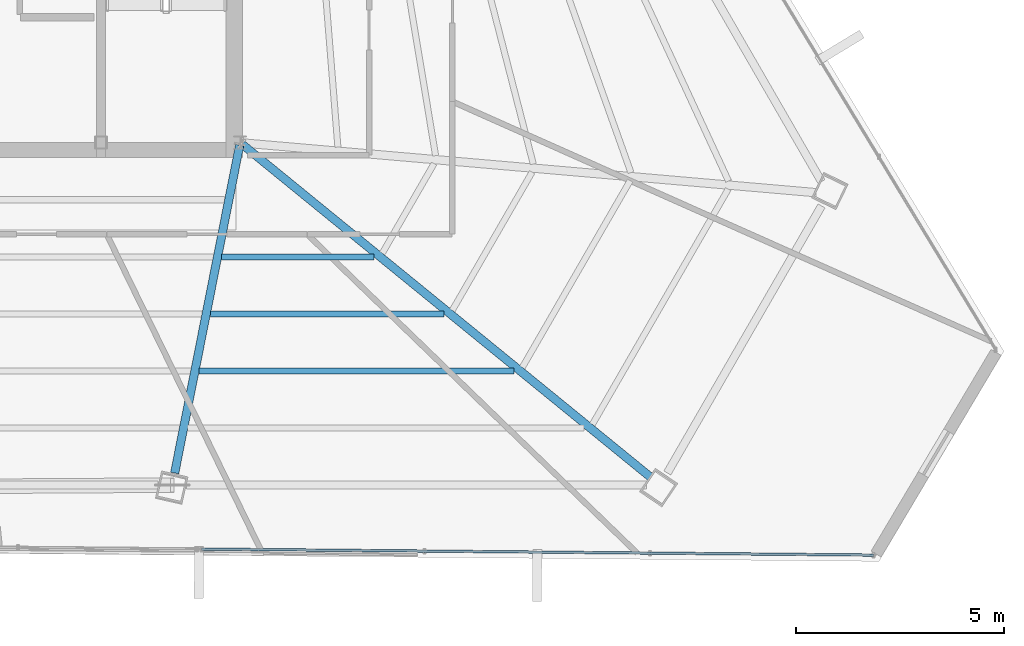
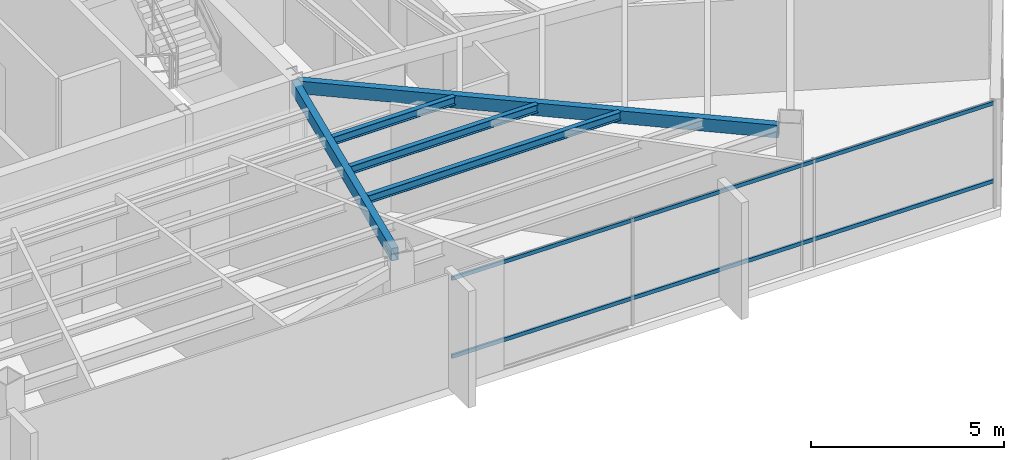
# One storey, part 20 of 42: 5 beams, 2 members, 1 element without a shape of its own.
"""IFC4 building model written with IfcOpenShell, lengths in metres."""

from ifc_helpers import new_model, si_unit, direction, frame, origin, origin_2d, place, context, subcontext, project, spatial, hollow_rectangle, i_section, extrude, source, transform, mapped, material, material_profile, profile_set, type_object, type_shapes, element, aggregate, save


model = new_model("IFC4")

# Units and contexts
model_context = context("Model", 3, precision=1e-05, world=origin(), true_north=direction((0.0, 1.0)))
body_context = subcontext(model_context, "Body", "Model", "MODEL_VIEW")
ifc_project = project(units=[si_unit("LENGTHUNIT", "METRE"), si_unit("AREAUNIT", "SQUARE_METRE"), si_unit("VOLUMEUNIT", "CUBIC_METRE"), si_unit("PLANEANGLEUNIT", "RADIAN"), si_unit("MASSUNIT", "GRAM", prefix="KILO")], contexts=[model_context])

# Site, building, storey
site_placement = place(None, origin())
site = spatial("IfcSite", under=ifc_project, at=site_placement, CompositionType="ELEMENT")
building_placement = place(site_placement, origin())
building = spatial("IfcBuilding", under=site, at=building_placement, Name="Caelisora Broadcast Tower", CompositionType="ELEMENT")
storey_placement = place(building_placement, frame((0.0, 0.0, 244.449951171875)))
storey = spatial("IfcBuildingStorey", under=building, at=storey_placement, Name="L64", CompositionType="ELEMENT", Elevation=244.449951171875)

# Beams
ifc_material_1 = material(Name="Steel Grade 350 (AS/NZS 1163 C350L0)", Category="steel")
ifc_material_profile_1 = material_profile(ifc_material_1, hollow_rectangle(XDim=0.199951171875, YDim=0.39990234375, WallThickness=0.012451171875, at=origin_2d()), Name="Steel Grade 350 (AS/NZS 1163 C350L0)")
ifc_profile_set_1 = profile_set([ifc_material_profile_1], Name="Steel Grade 350 (AS/NZS 1163 C350L0)")
beam_type_1 = type_object("IfcBeamType", Name="PG07", PredefinedType="BEAM", material=ifc_profile_set_1)
shared_shape_1 = source(origin(), body_context, "Body", "SweptSolid", [
    extrude(hollow_rectangle(XDim=0.199951171875, YDim=0.39990234375, WallThickness=0.012451171875, at=origin_2d()), origin(), (0.0, 0.0, 1.0), 12.673828125),
])
beam_1_placement = place(storey_placement, frame((45.54638671875, 17.362060546875, 3.199951171875), z_axis=(0.775195155084, -0.631721830819, 0.0), x_axis=(0.631721830819, 0.775195155084, 0.0)))
element("IfcBeam", 1, at=beam_1_placement, inside=storey, type_object=beam_type_1, Name="L64 beam PG07", PredefinedType="BEAM", context=body_context, shape_type="MappedRepresentation", body=[
    mapped(shared_shape_1, transform((0.0, 0.0, 0.0), scale=1.0)),
])
shared_shape_2 = source(origin(), body_context, "Body", "SweptSolid", [
    extrude(hollow_rectangle(XDim=0.199951171875, YDim=0.39990234375, WallThickness=0.012451171875, at=origin_2d()), origin(), (0.0, 0.0, 1.0), 8.034912109375),
])
type_shapes(beam_type_1, [shared_shape_1, shared_shape_2])
beam_2_placement = place(storey_placement, frame((45.48828125, 17.341064453125, 3.199951171875), z_axis=(-0.194526494203, -0.98089726427, 0.0), x_axis=(0.98089726427, -0.194526494203, 0.0)))
element("IfcBeam", 2, at=beam_2_placement, inside=storey, type_object=beam_type_1, Name="L64 beam PG07", PredefinedType="BEAM", context=body_context, shape_type="MappedRepresentation", body=[
    mapped(shared_shape_2, transform((0.0, 0.0, 0.0), scale=1.0)),
])
ifc_material_2 = material(Name="Steel Grade 350 (AS/NZS 3679.1)", Category="steel")
ifc_material_profile_2 = material_profile(ifc_material_2, i_section(OverallWidth=0.14599609375, OverallDepth=0.256103515625, WebThickness=0.00634765625, FlangeThickness=0.010986328125, at=origin_2d()), Name="Steel Grade 350 (AS/NZS 3679.1)")
ifc_profile_set_2 = profile_set([ifc_material_profile_2], Name="Steel Grade 350 (AS/NZS 3679.1)")
beam_type_2 = type_object("IfcBeamType", Name="SB04", PredefinedType="JOIST", material=ifc_profile_set_2)
shared_shape_3 = source(origin(), body_context, "Body", "SweptSolid", [
    extrude(i_section(OverallWidth=0.14599609375, OverallDepth=0.256103515625, WebThickness=0.00634765625, FlangeThickness=0.010986328125, at=origin_2d()), origin(), (0.0, 0.0, 1.0), 3.657470703125),
])
beam_3_placement = place(storey_placement, frame((45.0546875, 14.65576171875, 3.27197265625), z_axis=(1.0, 0.0, 0.0), x_axis=(0.0, 1.0, 0.0)))
element("IfcBeam", 3, at=beam_3_placement, inside=storey, type_object=beam_type_2, Name="L64 beam SB04", PredefinedType="JOIST", context=body_context, shape_type="MappedRepresentation", body=[
    mapped(shared_shape_3, transform((0.0, 0.0, 0.0), scale=1.0)),
])
shared_shape_4 = source(origin(), body_context, "Body", "SweptSolid", [
    extrude(i_section(OverallWidth=0.14599609375, OverallDepth=0.256103515625, WebThickness=0.00634765625, FlangeThickness=0.010986328125, at=origin_2d()), origin(), (0.0, 0.0, 1.0), 5.613037109375),
])
beam_4_placement = place(storey_placement, frame((44.78271484375, 13.28369140625, 3.27197265625), z_axis=(1.0, 0.0, 0.0), x_axis=(0.0, 1.0, 0.0)))
element("IfcBeam", 4, at=beam_4_placement, inside=storey, type_object=beam_type_2, Name="L64 beam SB04", PredefinedType="JOIST", context=body_context, shape_type="MappedRepresentation", body=[
    mapped(shared_shape_4, transform((0.0, 0.0, 0.0), scale=1.0)),
])
shared_shape_5 = source(origin(), body_context, "Body", "SweptSolid", [
    extrude(i_section(OverallWidth=0.14599609375, OverallDepth=0.256103515625, WebThickness=0.00634765625, FlangeThickness=0.010986328125, at=origin_2d()), origin(), (0.0, 0.0, 1.0), 7.56884765625),
])
type_shapes(beam_type_2, [shared_shape_3, shared_shape_4, shared_shape_5])
beam_5_placement = place(storey_placement, frame((44.510498046875, 11.91162109375, 3.27197265625), z_axis=(1.0, 0.0, 0.0), x_axis=(0.0, 1.0, 0.0)))
element("IfcBeam", 5, at=beam_5_placement, inside=storey, type_object=beam_type_2, Name="L64 beam SB04", PredefinedType="JOIST", context=body_context, shape_type="MappedRepresentation", body=[
    mapped(shared_shape_5, transform((0.0, 0.0, 0.0), scale=1.0)),
])

# Curtain wall, members
ifc_material_3 = material(Name="Unitised Aluminium and Low-E Glass Curtain Wall", Category="glass")
curtain_wall_type = type_object("IfcCurtainWallType", Name="CW-Z5", PredefinedType="NOTDEFINED", material=ifc_material_3)
curtain_wall_placement = place(storey_placement, origin())
curtain_wall = element("IfcCurtainWall", 6, at=curtain_wall_placement, inside=storey, type_object=curtain_wall_type, Name="L64 curtain wall CW-Z5", PredefinedType="NOTDEFINED")
ifc_material_4 = material(Name="Aluminium 6063-T6 Anodised Terracotta Bronze", Category="aluminium")
ifc_material_profile_3 = material_profile(ifc_material_4, hollow_rectangle(XDim=0.06005859375, YDim=0.1201171875, WallThickness=0.0029296875, at=origin_2d()), Name="Aluminium 6063-T6 Anodised Terracotta Bronze")
ifc_profile_set_3 = profile_set([ifc_material_profile_3], Name="Aluminium 6063-T6 Anodised Terracotta Bronze")
member_type = type_object("IfcMemberType", Name="CWT-03", PredefinedType="USERDEFINED", material=ifc_profile_set_3)
shared_shape_6 = source(origin(), body_context, "Body", "SweptSolid", [
    extrude(hollow_rectangle(XDim=0.06005859375, YDim=0.1201171875, WallThickness=0.0029296875, at=origin_2d()), origin(), (0.0, 0.0, 1.0), 16.158935546875),
])
type_shapes(member_type, [shared_shape_6])
member_1_placement = place(storey_placement, frame((60.72607421875, 7.484619140625, 0.85009765625), z_axis=(-0.999959591606, 0.008989724964, 0.0), x_axis=(-0.008989724964, -0.999959591606, 0.0)))
member_1 = element("IfcMember", 7, at=member_1_placement, type_object=member_type, Name="L64-CW-B05 transom #1", ObjectType="TRANSOM", PredefinedType="USERDEFINED", context=body_context, shape_type="MappedRepresentation", body=[
    mapped(shared_shape_6, transform((0.0, 0.0, 0.0), scale=1.0)),
])
member_2_placement = place(storey_placement, frame((60.72607421875, 7.484619140625, 3.320068359375), z_axis=(-0.999959591606, 0.008989724964, 0.0), x_axis=(-0.008989724964, -0.999959591606, 0.0)))
member_2 = element("IfcMember", 8, at=member_2_placement, type_object=member_type, Name="L64-CW-B05 transom #2", ObjectType="TRANSOM", PredefinedType="USERDEFINED", context=body_context, shape_type="MappedRepresentation", body=[
    mapped(shared_shape_6, transform((0.0, 0.0, 0.0), scale=1.0)),
])
aggregate(curtain_wall, [member_1, member_2])

save(model, "model.ifc")
